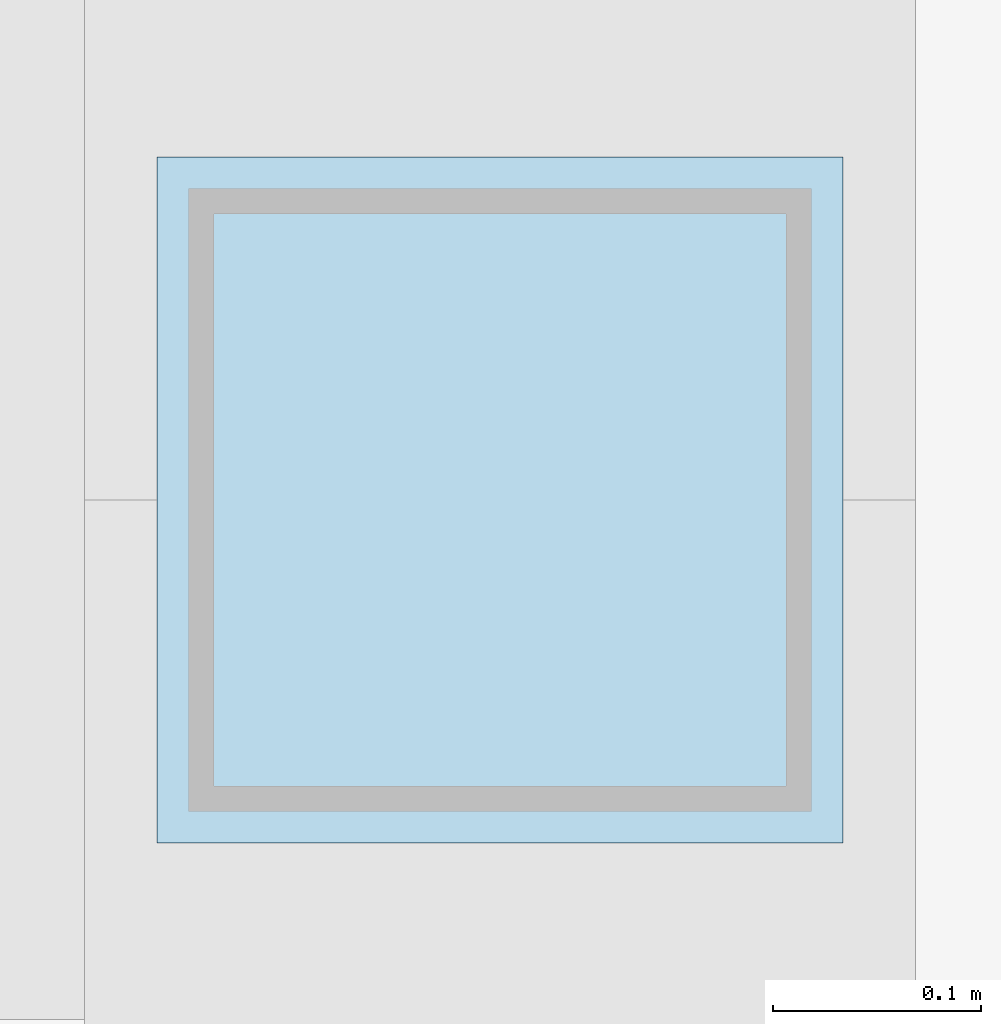
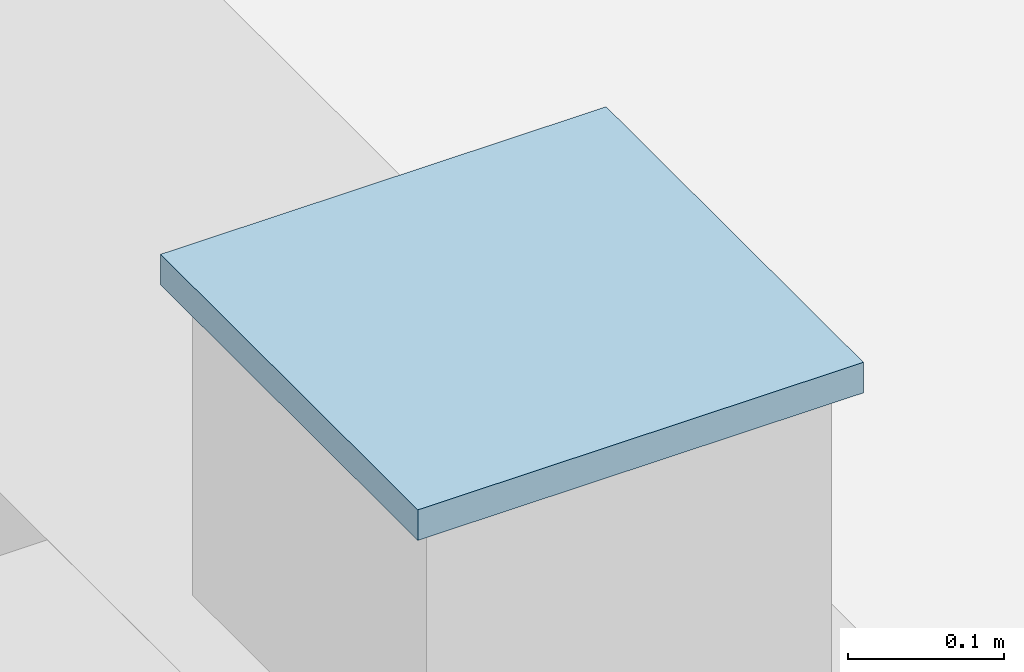
# One storey, part 81 of 113: 1 plate.
"""IFC4 building model written with IfcOpenShell, lengths in metres."""

from ifc_helpers import new_model, si_unit, direction, frame, origin, origin_2d, place, context, subcontext, project, spatial, rectangle, extrude, material, layer, layer_set, type_object, element, save


model = new_model("IFC4")

# Units and contexts
model_context = context("Model", 3, precision=1e-05, world=origin(), true_north=direction((0.0, 1.0)))
body_context = subcontext(model_context, "Body", "Model", "MODEL_VIEW")
ifc_project = project(units=[si_unit("LENGTHUNIT", "METRE"), si_unit("AREAUNIT", "SQUARE_METRE"), si_unit("VOLUMEUNIT", "CUBIC_METRE"), si_unit("PLANEANGLEUNIT", "RADIAN"), si_unit("MASSUNIT", "GRAM", prefix="KILO"), si_unit("POWERUNIT", "WATT"), si_unit("THERMODYNAMICTEMPERATUREUNIT", "KELVIN")], contexts=[model_context])

# Site, building, storey
site_placement = place(None, origin())
site = spatial("IfcSite", under=ifc_project, at=site_placement, CompositionType="ELEMENT")
building_placement = place(site_placement, origin())
building = spatial("IfcBuilding", under=site, at=building_placement, Name="Kelmbourne Parkland Aquatics Centre", CompositionType="ELEMENT")
storey_placement = place(building_placement, origin())
storey = spatial("IfcBuildingStorey", under=building, at=storey_placement, Name="L00", CompositionType="ELEMENT", Elevation=0.0)

# Plate
ifc_material = material(Name="Welded plate steel AS/NZS 3678 Grade 350", Category="steel")
ifc_layer = layer(ifc_material, 0.02392578125)
ifc_layer_set = layer_set([ifc_layer], Name="Welded plate steel AS/NZS 3678 Grade 350")
plate_type = type_object("IfcPlateType", Name="PL-CAP-24", PredefinedType="USERDEFINED", material=ifc_layer_set)
plate_placement = place(storey_placement, frame((140.0, 23.60009765625, 5.39892578125), z_axis=(0.0, 0.0, 1.0), x_axis=(1.0, 0.0, 0.0)))
element("IfcPlate", 1, at=plate_placement, inside=storey, type_object=plate_type, Name="Hollow end cap plate CAP-0014", ObjectType="END CAP PLATE", PredefinedType="USERDEFINED", context=body_context, shape_type="SweptSolid", body=[
    extrude(rectangle(XDim=0.330078125, YDim=0.330078125, at=origin_2d()), origin(), (0.0, 0.0, 1.0), 0.02392578125),
])

save(model, "model.ifc")
